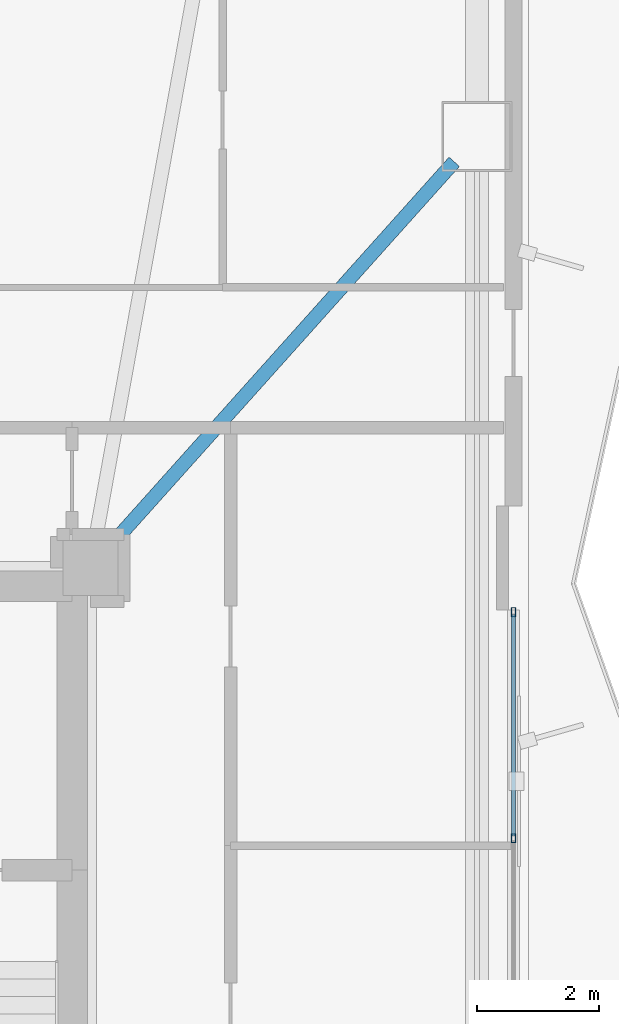
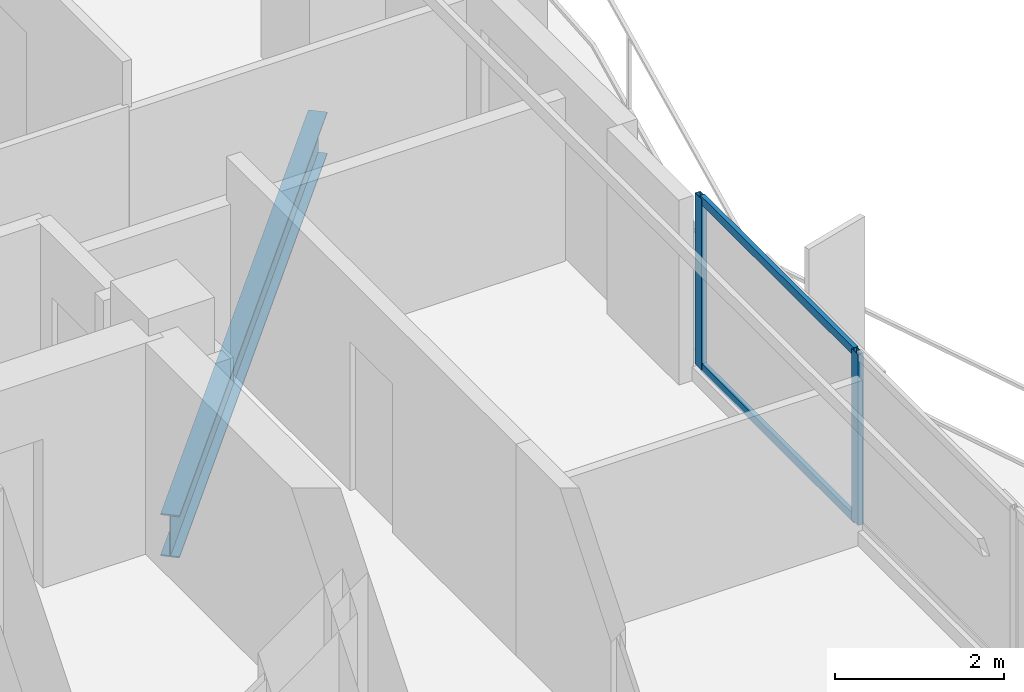
# One storey, part 10 of 22: 4 members, 1 beam, 1 element without a shape of its own.
"""IFC4 building model written with IfcOpenShell, lengths in metres."""

from ifc_helpers import new_model, si_unit, direction, frame, origin, origin_2d, place, context, subcontext, project, spatial, hollow_rectangle, i_section, extrude, material, layer, layer_set, material_profile, profile_set, type_object, element, aggregate, save


model = new_model("IFC4")

# Units and contexts
model_context = context("Model", 3, precision=1e-05, world=origin(), true_north=direction((0.0, 1.0)))
body_context = subcontext(model_context, "Body", "Model", "MODEL_VIEW")
ifc_project = project(units=[si_unit("LENGTHUNIT", "METRE"), si_unit("AREAUNIT", "SQUARE_METRE"), si_unit("VOLUMEUNIT", "CUBIC_METRE"), si_unit("PLANEANGLEUNIT", "RADIAN"), si_unit("MASSUNIT", "GRAM", prefix="KILO")], contexts=[model_context])

# Site, building, storey
site_placement = place(None, origin())
site = spatial("IfcSite", under=ifc_project, at=site_placement, CompositionType="ELEMENT")
building_placement = place(site_placement, origin())
building = spatial("IfcBuilding", under=site, at=building_placement, Name="Mersakhor Tower and Convention Hall", CompositionType="ELEMENT")
storey_placement = place(building_placement, frame((0.0, 0.0, 83.39990234375)))
storey = spatial("IfcBuildingStorey", under=building, at=storey_placement, Name="L22", CompositionType="ELEMENT", Elevation=83.39990234375)

# Beam
ifc_material_1 = material(Name="Steel S355", Category="steel")
ifc_material_profile_1 = material_profile(ifc_material_1, i_section(OverallWidth=0.22900390625, OverallDepth=0.6123046875, WebThickness=0.011962890625, FlangeThickness=0.01953125, at=origin_2d()), Name="UB 610x229x125")
ifc_profile_set_1 = profile_set([ifc_material_profile_1], Name="Steel S355")
beam_type = type_object("IfcBeamType", Name="BM-PR-610", PredefinedType="BEAM", material=ifc_profile_set_1)
beam_placement = place(storey_placement, frame((36.386962890625, 33.370361328125, -0.555908203125), z_axis=(0.66721913788, 0.744861478428, 0.0), x_axis=(-0.744861478428, 0.66721913788, 0.0)))
element("IfcBeam", 1, at=beam_placement, inside=storey, type_object=beam_type, Name="L22 Primary Floor Girder FG-3", PredefinedType="BEAM", context=body_context, shape_type="SweptSolid", body=[
    extrude(i_section(OverallWidth=0.22900390625, OverallDepth=0.6123046875, WebThickness=0.011962890625, FlangeThickness=0.01953125, at=origin_2d()), origin(), (0.0, 0.0, 1.0), 8.5087890625),
])

# Curtain wall, members
ifc_material_2 = material(Name="Dark solar low-E aluminium curtain wall", Category="aluminium")
ifc_layer = layer(ifc_material_2, 0.159912109375)
ifc_layer_set = layer_set([ifc_layer], Name="Dark solar low-E aluminium curtain wall")
curtain_wall_type = type_object("IfcCurtainWallType", Name="CW-SYS-01", PredefinedType="USERDEFINED", material=ifc_layer_set)
curtain_wall_placement = place(storey_placement, origin())
curtain_wall = element("IfcCurtainWall", 2, at=curtain_wall_placement, inside=storey, type_object=curtain_wall_type, Name="L22 Dark-Glass Curtain Wall F2-B2", ObjectType="CURTAIN WALL", PredefinedType="USERDEFINED")
ifc_material_3 = material(Name="Anodised aluminium EN AW-6063 T6", Category="aluminium")
ifc_material_profile_2 = material_profile(ifc_material_3, hollow_rectangle(XDim=0.074951171875, YDim=0.14990234375, WallThickness=0.00634765625, at=origin_2d()), Name="RHS 150x75x6.3")
ifc_profile_set_2 = profile_set([ifc_material_profile_2], Name="Anodised aluminium EN AW-6063 T6")
member_type_1 = type_object("IfcMemberType", Name="CWM-150x75", PredefinedType="MULLION", material=ifc_profile_set_2)
member_1_placement = place(storey_placement, frame((43.03466796875, 32.327392578125, 0.2001953125), z_axis=(0.0, 0.0, 1.0), x_axis=(1.0, 0.0, 0.0)))
member_1 = element("IfcMember", 3, at=member_1_placement, type_object=member_type_1, Name="CW-01 mullion 1", PredefinedType="MULLION", context=body_context, shape_type="SweptSolid", body=[
    extrude(hollow_rectangle(XDim=0.074951171875, YDim=0.14990234375, WallThickness=0.00634765625, at=origin_2d()), origin(), (0.0, 0.0, 1.0), 2.469970703125),
])
member_2_placement = place(storey_placement, frame((43.03466796875, 28.62158203125, 0.2001953125), z_axis=(0.0, 0.0, 1.0), x_axis=(1.0, 0.0, 0.0)))
member_2 = element("IfcMember", 4, at=member_2_placement, type_object=member_type_1, Name="CW-01 mullion 2", PredefinedType="MULLION", context=body_context, shape_type="SweptSolid", body=[
    extrude(hollow_rectangle(XDim=0.074951171875, YDim=0.14990234375, WallThickness=0.00634765625, at=origin_2d()), origin(), (0.0, 0.0, 1.0), 2.469970703125),
])
ifc_material_4 = material(Name="Anodised aluminium EN AW-6063 T6", Category="aluminium")
ifc_material_profile_3 = material_profile(ifc_material_4, hollow_rectangle(XDim=0.06005859375, YDim=0.1201171875, WallThickness=0.0048828125, at=origin_2d()), Name="RHS 120x60x5")
ifc_profile_set_3 = profile_set([ifc_material_profile_3], Name="Anodised aluminium EN AW-6063 T6")
member_type_2 = type_object("IfcMemberType", Name="CWT-120x60", PredefinedType="USERDEFINED", material=ifc_profile_set_3)
member_3_placement = place(storey_placement, frame((43.03466796875, 32.289794921875, 0.22998046875), z_axis=(0.0, -1.0, 0.0), x_axis=(1.0, 0.0, 0.0)))
member_3 = element("IfcMember", 5, at=member_3_placement, type_object=member_type_2, Name="CW-01 transom 1.1", ObjectType="TRANSOM", PredefinedType="USERDEFINED", context=body_context, shape_type="SweptSolid", body=[
    extrude(hollow_rectangle(XDim=0.06005859375, YDim=0.1201171875, WallThickness=0.0048828125, at=origin_2d()), origin(), (0.0, 0.0, 1.0), 3.630615234375),
])
member_4_placement = place(storey_placement, frame((43.03466796875, 32.289794921875, 2.64013671875), z_axis=(0.0, -1.0, 0.0), x_axis=(1.0, 0.0, 0.0)))
member_4 = element("IfcMember", 6, at=member_4_placement, type_object=member_type_2, Name="CW-01 transom 1.2", ObjectType="TRANSOM", PredefinedType="USERDEFINED", context=body_context, shape_type="SweptSolid", body=[
    extrude(hollow_rectangle(XDim=0.06005859375, YDim=0.1201171875, WallThickness=0.0048828125, at=origin_2d()), origin(), (0.0, 0.0, 1.0), 3.630615234375),
])
aggregate(curtain_wall, [member_1, member_2, member_3, member_4])

save(model, "model.ifc")
